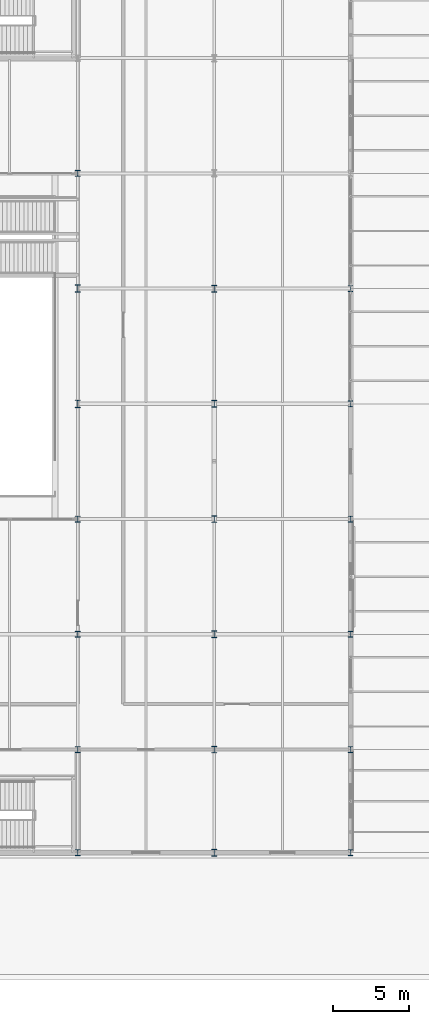
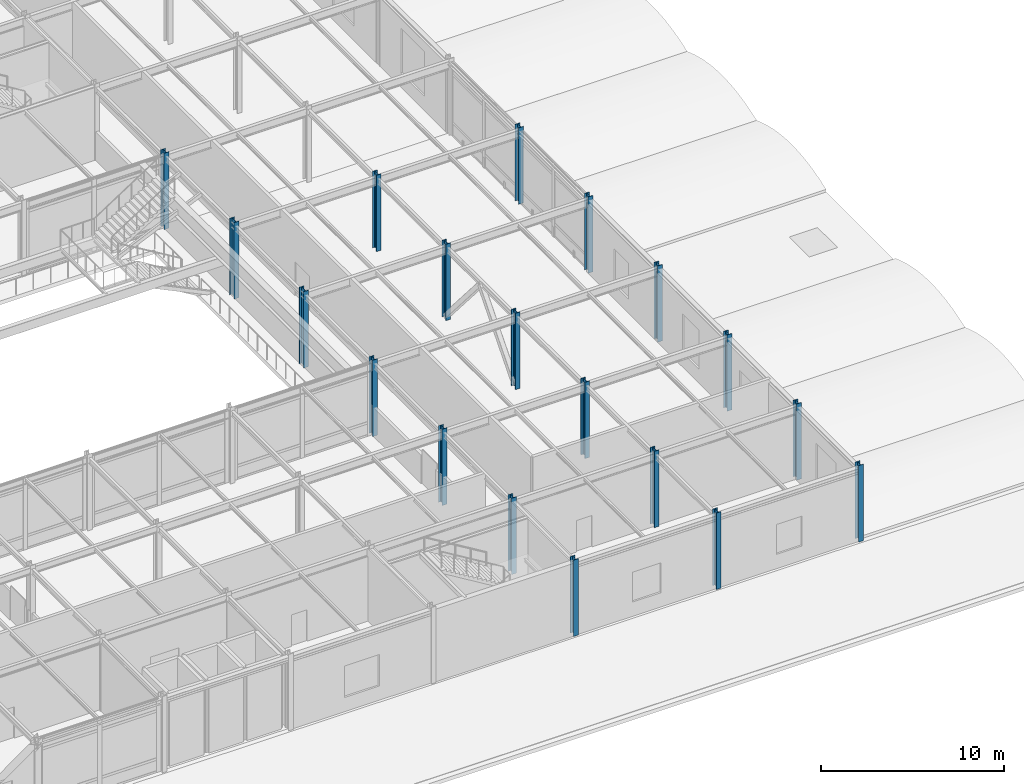
# One storey, part 13 of 113: 19 columns.
"""IFC4 building model written with IfcOpenShell, lengths in metres."""

from ifc_helpers import new_model, si_unit, direction, frame, origin, origin_2d, place, context, subcontext, project, spatial, i_section, extrude, material, material_profile, profile_set, type_object, element, save


model = new_model("IFC4")

# Units and contexts
model_context = context("Model", 3, precision=1e-05, world=origin(), true_north=direction((0.0, 1.0)))
body_context = subcontext(model_context, "Body", "Model", "MODEL_VIEW")
ifc_project = project(units=[si_unit("LENGTHUNIT", "METRE"), si_unit("AREAUNIT", "SQUARE_METRE"), si_unit("VOLUMEUNIT", "CUBIC_METRE"), si_unit("PLANEANGLEUNIT", "RADIAN"), si_unit("MASSUNIT", "GRAM", prefix="KILO")], contexts=[model_context])

# Site, building, storey
site_placement = place(None, origin())
site = spatial("IfcSite", under=ifc_project, at=site_placement, CompositionType="ELEMENT")
building_placement = place(site_placement, origin())
building = spatial("IfcBuilding", under=site, at=building_placement, Name="Shalkamar Park Central Library", CompositionType="ELEMENT")
storey_placement = place(building_placement, frame((0.0, 0.0, 5.39990234375)))
storey = spatial("IfcBuildingStorey", under=building, at=storey_placement, Name="L02", CompositionType="ELEMENT", Elevation=5.39990234375)

# Columns
ifc_material = material(Name="Steel S355", Category="steel")
ifc_material_profile_1 = material_profile(ifc_material, i_section(OverallWidth=0.300048828125, OverallDepth=0.39990234375, WebThickness=0.013427734375, FlangeThickness=0.02392578125, FilletRadius=0.027099609375, at=origin_2d()), Name="HEB 400")
ifc_profile_set_1 = profile_set([ifc_material_profile_1], Name="Steel S355")
column_type_1 = type_object("IfcColumnType", Name="Column Steel HEB400", PredefinedType="COLUMN", material=ifc_profile_set_1)
for number, where, z_axis, x_axis, name in (
    (1, (255.0, 248.39990234375, 0.0), (0.0, 0.0, 1.0), (1.0, 0.0, 0.0), "Column 18/B (L02)"),
    (2, (255.0, 255.199951171875, 0.0), (0.0, 0.0, 1.0), (1.0, 0.0, 0.0), "Column 18/C (L02)"),
    (3, (255.0, 262.800048828125, 0.0), (0.0, 0.0, 1.0), (1.0, 0.0, 0.0), "Column 18/D (L02)"),
    (4, (255.0, 270.39990234375, 0.0), (0.0, 0.0, 1.0), (1.0, 0.0, 0.0), "Column 18/E (L02)"),
    (5, (255.0, 293.199951171875, 0.0), (0.0, 0.0, 1.0), (1.0, 0.0, 0.0), "Column 18/H (L02)"),
    (6, (273.0, 248.39990234375, 0.0), (0.0, 0.0, 1.0), (1.0, 0.0, 0.0), "Column 20/B (L02)"),
    (7, (273.0, 255.199951171875, 0.0), (0.0, 0.0, 1.0), (1.0, 0.0, 0.0), "Column 20/C (L02)"),
    (8, (273.0, 262.800048828125, 0.0), (0.0, 0.0, 1.0), (1.0, 0.0, 0.0), "Column 20/D (L02)"),
    (9, (273.0, 270.39990234375, 0.0), (0.0, 0.0, 1.0), (1.0, 0.0, 0.0), "Column 20/E (L02)"),
    (10, (273.0, 278.0, 0.0), (0.0, 0.0, 1.0), (1.0, 0.0, 0.0), "Column 20/F (L02)"),
    (11, (273.0, 285.60009765625, 0.0), (0.0, 0.0, 1.0), (1.0, 0.0, 0.0), "Column 20/G (L02)"),
):
    element("IfcColumn", number, at=place(storey_placement, frame(where, z_axis=z_axis, x_axis=x_axis)), inside=storey, type_object=column_type_1, Name=name, PredefinedType="COLUMN", context=body_context, shape_type="SweptSolid", body=[
        extrude(i_section(OverallWidth=0.300048828125, OverallDepth=0.39990234375, WebThickness=0.013427734375, FlangeThickness=0.02392578125, FilletRadius=0.027099609375, at=origin_2d()), origin(), (0.0, 0.0, 1.0), 5.10009765625),
    ])
ifc_material_profile_2 = material_profile(ifc_material, i_section(OverallWidth=0.300048828125, OverallDepth=0.449951171875, WebThickness=0.013916015625, FlangeThickness=0.02587890625, FilletRadius=0.027099609375, at=origin_2d()), Name="HEB 450")
ifc_profile_set_2 = profile_set([ifc_material_profile_2], Name="Steel S355")
column_type_2 = type_object("IfcColumnType", Name="Column Steel HEB450", PredefinedType="COLUMN", material=ifc_profile_set_2)
for number, where, z_axis, x_axis, name in (
    (12, (264.0, 248.39990234375, 0.0), (0.0, 0.0, 1.0), (1.0, 0.0, 0.0), "Column 19/B (L02)"),
    (13, (264.0, 255.199951171875, 0.0), (0.0, 0.0, 1.0), (1.0, 0.0, 0.0), "Column 19/C (L02)"),
    (14, (264.0, 262.800048828125, 0.0), (0.0, 0.0, 1.0), (1.0, 0.0, 0.0), "Column 19/D (L02)"),
    (15, (264.0, 270.39990234375, 0.0), (0.0, 0.0, 1.0), (1.0, 0.0, 0.0), "Column 19/E (L02)"),
    (16, (264.0, 278.0, 0.0), (0.0, 0.0, 1.0), (1.0, 0.0, 0.0), "Column 19/F (L02)"),
    (17, (264.0, 285.60009765625, 0.0), (0.0, 0.0, 1.0), (1.0, 0.0, 0.0), "Column 19/G (L02)"),
):
    element("IfcColumn", number, at=place(storey_placement, frame(where, z_axis=z_axis, x_axis=x_axis)), inside=storey, type_object=column_type_2, Name=name, PredefinedType="COLUMN", context=body_context, shape_type="SweptSolid", body=[
        extrude(i_section(OverallWidth=0.300048828125, OverallDepth=0.449951171875, WebThickness=0.013916015625, FlangeThickness=0.02587890625, FilletRadius=0.027099609375, at=origin_2d()), origin(), (0.0, 0.0, 1.0), 5.10009765625),
    ])
ifc_material_profile_3 = material_profile(ifc_material, i_section(OverallWidth=0.300048828125, OverallDepth=0.5, WebThickness=0.014404296875, FlangeThickness=0.028076171875, FilletRadius=0.027099609375, at=origin_2d()), Name="HEB 500")
ifc_profile_set_3 = profile_set([ifc_material_profile_3], Name="Steel S355")
column_type_3 = type_object("IfcColumnType", Name="Column Steel HEB500", PredefinedType="COLUMN", material=ifc_profile_set_3)
for number, where, z_axis, x_axis, name in (
    (18, (255.0, 278.0, 0.0), (0.0, 0.0, 1.0), (1.0, 0.0, 0.0), "Column 18/F (L02)"),
    (19, (255.0, 285.60009765625, 0.0), (0.0, 0.0, 1.0), (1.0, 0.0, 0.0), "Column 18/G (L02)"),
):
    element("IfcColumn", number, at=place(storey_placement, frame(where, z_axis=z_axis, x_axis=x_axis)), inside=storey, type_object=column_type_3, Name=name, PredefinedType="COLUMN", context=body_context, shape_type="SweptSolid", body=[
        extrude(i_section(OverallWidth=0.300048828125, OverallDepth=0.5, WebThickness=0.014404296875, FlangeThickness=0.028076171875, FilletRadius=0.027099609375, at=origin_2d()), origin(), (0.0, 0.0, 1.0), 5.10009765625),
    ])

save(model, "model.ifc")
